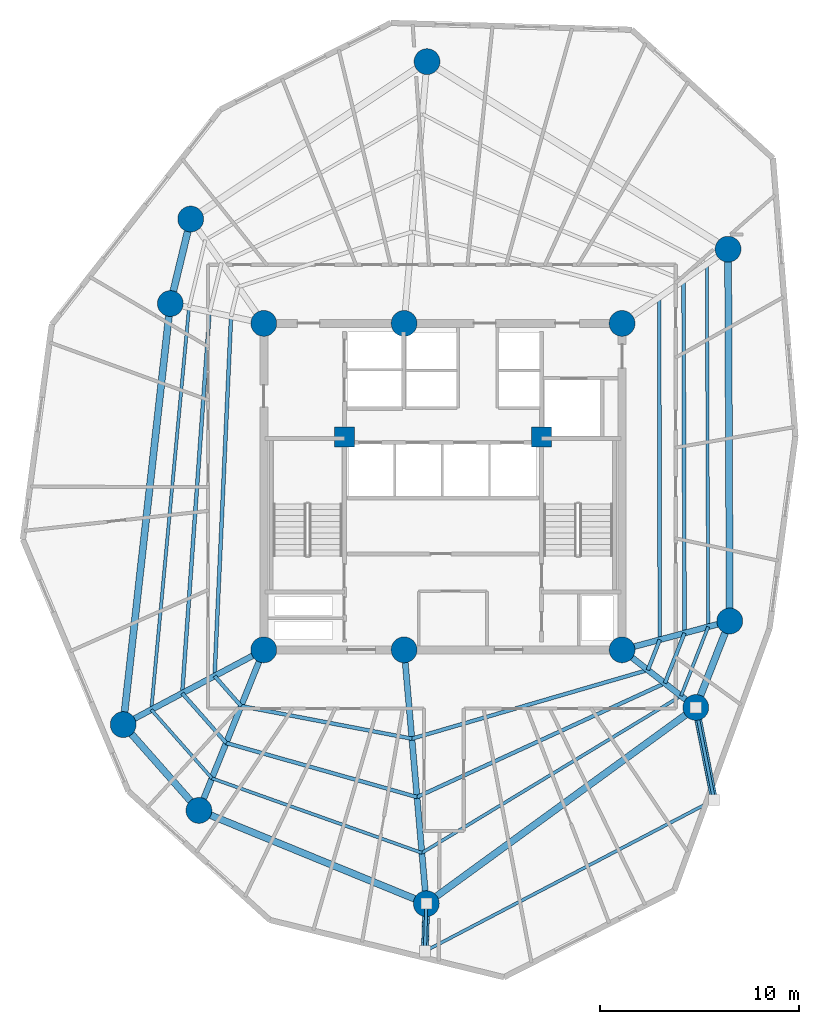
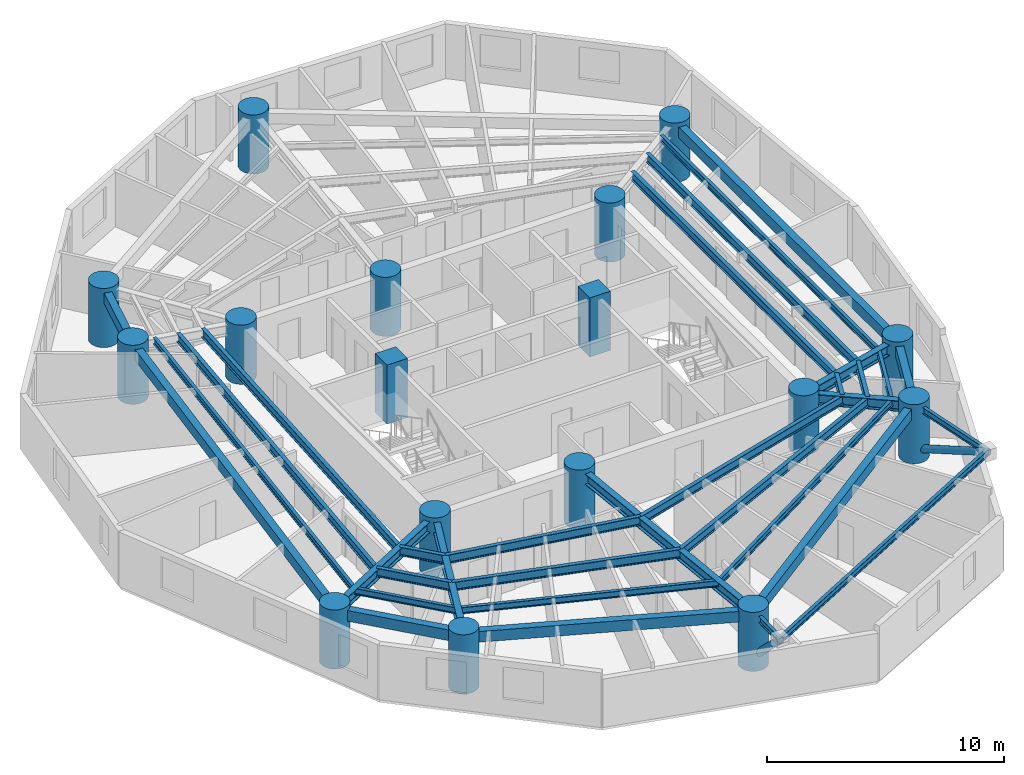
# One storey, part 1 of 8: 33 beams, 17 columns, 2 members.
"""IFC4 building model written with IfcOpenShell, lengths in metres."""

from ifc_helpers import new_model, si_unit, direction, frame, origin, origin_with_axes, origin_2d, place, context, subcontext, project, spatial, rectangle, circle, hollow_circle, i_section, extrude, source, transform, mapped, material, material_profile, profile_set, type_object, element, save


model = new_model("IFC4")

# Units and contexts
model_context = context("Model", 3, precision=1e-05, world=origin(), true_north=direction((0.0, 1.0)))
body_context = subcontext(model_context, "Body", "Model", "MODEL_VIEW")
ifc_project = project(units=[si_unit("LENGTHUNIT", "METRE"), si_unit("AREAUNIT", "SQUARE_METRE"), si_unit("VOLUMEUNIT", "CUBIC_METRE"), si_unit("PLANEANGLEUNIT", "RADIAN"), si_unit("MASSUNIT", "GRAM", prefix="KILO")], contexts=[model_context])

# Site, building, storey
site_placement = place(None, origin())
site = spatial("IfcSite", under=ifc_project, at=site_placement, CompositionType="ELEMENT")
building_placement = place(site_placement, origin())
building = spatial("IfcBuilding", under=site, at=building_placement, Name="Karkom Vertical University and Central Library", CompositionType="ELEMENT")
storey_placement = place(building_placement, frame((0.0, 0.0, 168.75)))
storey = spatial("IfcBuildingStorey", under=building, at=storey_placement, Name="L48", CompositionType="ELEMENT", Elevation=168.75)

# Columns
ifc_material_1 = material(Name="Concrete C50/60", Category="concrete")
ifc_material_profile_1 = material_profile(ifc_material_1, circle(Radius=0.64990234375, at=origin_2d()), Name="CFT-D1300")
ifc_profile_set_1 = profile_set([ifc_material_profile_1], Name="Concrete C50/60")
column_type_1 = type_object("IfcColumnType", Name="STR-COL-C-SC4", PredefinedType="COLUMN", material=ifc_profile_set_1)
shared_shape_1 = source(origin_with_axes(), body_context, "Body", "SweptSolid", [
    extrude(circle(Radius=0.64990234375, at=origin_2d()), origin(), (0.0, 0.0, 1.0), 3.050048828125),
])
for number, where, z_axis, x_axis, name in (
    (1, (19.5, 18.300048828125, 0.0), (0.0, 0.0, 1.0), (1.0, 0.0, 0.0), "Level 48 Spine Mega-Column SC-1"),
    (2, (26.550048828125, 18.300048828125, 0.0), (0.0, 0.0, 1.0), (1.0, 0.0, 0.0), "Level 48 Spine Mega-Column SC-2"),
    (3, (37.5, 18.300048828125, 0.0), (0.0, 0.0, 1.0), (1.0, 0.0, 0.0), "Level 48 Spine Mega-Column SC-3"),
    (4, (19.5, 34.699951171875, 0.0), (0.0, 0.0, 1.0), (1.0, 0.0, 0.0), "Level 48 Spine Mega-Column SC-4"),
    (5, (26.550048828125, 34.699951171875, 0.0), (0.0, 0.0, 1.0), (1.0, 0.0, 0.0), "Level 48 Spine Mega-Column SC-5"),
    (6, (37.5, 34.699951171875, 0.0), (0.0, 0.0, 1.0), (1.0, 0.0, 0.0), "Level 48 Spine Mega-Column SC-6"),
    (7, (42.908935546875, 19.7490234375, 0.0), (0.0, 0.0, 1.0), (1.0, 0.0, 0.0), "Level 48 Perimeter Mega-Column Z3-PC1"),
    (8, (42.823974609375, 38.427978515625, 0.0), (0.0, 0.0, 1.0), (1.0, 0.0, 0.0), "Level 48 Perimeter Mega-Column Z3-PC2"),
    (9, (27.699951171875, 47.85009765625, 0.0), (0.0, 0.0, 1.0), (1.0, 0.0, 0.0), "Level 48 Perimeter Mega-Column Z3-PC3"),
    (10, (15.8291015625, 39.943115234375, 0.0), (0.0, 0.0, 1.0), (1.0, 0.0, 0.0), "Level 48 Perimeter Mega-Column Z3-PC4"),
    (11, (14.804931640625, 35.697998046875, 0.0), (0.0, 0.0, 1.0), (1.0, 0.0, 0.0), "Level 48 Perimeter Mega-Column Z3-PC5"),
    (12, (12.43603515625, 14.5439453125, 0.0), (0.0, 0.0, 1.0), (1.0, 0.0, 0.0), "Level 48 Perimeter Mega-Column Z3-PC6"),
    (13, (16.240966796875, 10.23388671875, 0.0), (0.0, 0.0, 1.0), (1.0, 0.0, 0.0), "Level 48 Perimeter Mega-Column Z3-PC7"),
    (14, (27.666015625, 5.549072265625, 0.0), (0.0, 0.0, 1.0), (1.0, 0.0, 0.0), "Level 48 Perimeter Mega-Column Z3-PC8"),
    (15, (41.2041015625, 15.406005859375, 0.0), (0.0, 0.0, 1.0), (1.0, 0.0, 0.0), "Level 48 Perimeter Mega-Column Z3-PC9"),
):
    element("IfcColumn", number, at=place(storey_placement, frame(where, z_axis=z_axis, x_axis=x_axis)), inside=storey, type_object=column_type_1, Name=name, PredefinedType="COLUMN", context=body_context, shape_type="MappedRepresentation", body=[
        mapped(shared_shape_1, transform((0.0, 0.0, 0.0), scale=1.0)),
    ])
ifc_material_profile_2 = material_profile(ifc_material_1, rectangle(XDim=1.0, YDim=1.0, at=origin_2d()), Name="RC-1000x1000")
ifc_profile_set_2 = profile_set([ifc_material_profile_2], Name="Concrete C50/60")
column_type_2 = type_object("IfcColumnType", Name="STR-COL-C-CC2", PredefinedType="COLUMN", material=ifc_profile_set_2)
shared_shape_2 = source(origin_with_axes(), body_context, "Body", "SweptSolid", [
    extrude(rectangle(XDim=1.0, YDim=1.0, at=origin_2d()), origin(), (0.0, 0.0, 1.0), 3.050048828125),
])
for number, where, z_axis, x_axis, name in (
    (16, (23.550048828125, 29.0, 0.0), (0.0, 0.0, 1.0), (1.0, 0.0, 0.0), "Level 48 Core Node Column CC-1"),
    (17, (33.449951171875, 29.0, 0.0), (0.0, 0.0, 1.0), (1.0, 0.0, 0.0), "Level 48 Core Node Column CC-2"),
):
    element("IfcColumn", number, at=place(storey_placement, frame(where, z_axis=z_axis, x_axis=x_axis)), inside=storey, type_object=column_type_2, Name=name, PredefinedType="COLUMN", context=body_context, shape_type="MappedRepresentation", body=[
        mapped(shared_shape_2, transform((0.0, 0.0, 0.0), scale=1.0)),
    ])

# Beams
ifc_material_2 = material(Name="Precast concrete C45/55", Category="concrete")
ifc_material_profile_3 = material_profile(ifc_material_2, rectangle(XDim=0.35009765625, YDim=0.550048828125, at=origin_2d()), Name="SPB-350x550")
ifc_profile_set_3 = profile_set([ifc_material_profile_3], Name="Precast concrete C45/55")
beam_type_1 = type_object("IfcBeamType", Name="STR-BM-SP-2", PredefinedType="SPANDREL", material=ifc_profile_set_3)
shared_shape_3 = source(origin_with_axes(), body_context, "Body", "SweptSolid", [
    extrude(rectangle(XDim=0.35009765625, YDim=0.550048828125, at=origin_2d()), origin(), (0.0, 0.0, 1.0), 18.67919921875),
])
beam_1_placement = place(storey_placement, frame((42.908935546875, 19.7490234375, 2.550048828125), z_axis=(-0.004548437442, 0.999989655805, 0.0), x_axis=(-0.999989655805, -0.004548437442, 0.0)))
element("IfcBeam", 18, at=beam_1_placement, inside=storey, type_object=beam_type_1, Name="Level 48 Perimeter Spandrel Beam 01", PredefinedType="SPANDREL", context=body_context, shape_type="MappedRepresentation", body=[
    mapped(shared_shape_3, transform((0.0, 0.0, 0.0), scale=1.0)),
])
shared_shape_4 = source(origin_with_axes(), body_context, "Body", "SweptSolid", [
    extrude(rectangle(XDim=0.35009765625, YDim=0.550048828125, at=origin_2d()), origin(), (0.0, 0.0, 1.0), 4.366943359375),
])
beam_2_placement = place(storey_placement, frame((15.8291015625, 39.943115234375, 2.550048828125), z_axis=(-0.234529408772, -0.972109024966, 0.0), x_axis=(0.972109024966, -0.234529408772, 0.0)))
element("IfcBeam", 19, at=beam_2_placement, inside=storey, type_object=beam_type_1, Name="Level 48 Perimeter Spandrel Beam 04", PredefinedType="SPANDREL", context=body_context, shape_type="MappedRepresentation", body=[
    mapped(shared_shape_4, transform((0.0, 0.0, 0.0), scale=1.0)),
])
shared_shape_5 = source(origin_with_axes(), body_context, "Body", "SweptSolid", [
    extrude(rectangle(XDim=0.35009765625, YDim=0.550048828125, at=origin_2d()), origin(), (0.0, 0.0, 1.0), 21.286376953125),
])
beam_3_placement = place(storey_placement, frame((14.804931640625, 35.697998046875, 2.550048828125), z_axis=(-0.111287493264, -0.993788254028, 0.0), x_axis=(0.993788254028, -0.111287493264, 0.0)))
element("IfcBeam", 20, at=beam_3_placement, inside=storey, type_object=beam_type_1, Name="Level 48 Perimeter Spandrel Beam 05", PredefinedType="SPANDREL", context=body_context, shape_type="MappedRepresentation", body=[
    mapped(shared_shape_5, transform((0.0, 0.0, 0.0), scale=1.0)),
])
shared_shape_6 = source(origin_with_axes(), body_context, "Body", "SweptSolid", [
    extrude(rectangle(XDim=0.35009765625, YDim=0.550048828125, at=origin_2d()), origin(), (0.0, 0.0, 1.0), 5.749267578125),
])
beam_4_placement = place(storey_placement, frame((12.43603515625, 14.5439453125, 2.550048828125), z_axis=(0.661811219671, -0.74967053398, 0.0), x_axis=(0.74967053398, 0.661811219671, 0.0)))
element("IfcBeam", 21, at=beam_4_placement, inside=storey, type_object=beam_type_1, Name="Level 48 Perimeter Spandrel Beam 06", PredefinedType="SPANDREL", context=body_context, shape_type="MappedRepresentation", body=[
    mapped(shared_shape_6, transform((0.0, 0.0, 0.0), scale=1.0)),
])
shared_shape_7 = source(origin_with_axes(), body_context, "Body", "SweptSolid", [
    extrude(rectangle(XDim=0.35009765625, YDim=0.550048828125, at=origin_2d()), origin(), (0.0, 0.0, 1.0), 12.34814453125),
])
beam_5_placement = place(storey_placement, frame((16.240966796875, 10.23388671875, 2.550048828125), z_axis=(0.925236428984, -0.37939102583, 0.0), x_axis=(0.37939102583, 0.925236428984, 0.0)))
element("IfcBeam", 22, at=beam_5_placement, inside=storey, type_object=beam_type_1, Name="Level 48 Perimeter Spandrel Beam 07", PredefinedType="SPANDREL", context=body_context, shape_type="MappedRepresentation", body=[
    mapped(shared_shape_7, transform((0.0, 0.0, 0.0), scale=1.0)),
])
shared_shape_8 = source(origin_with_axes(), body_context, "Body", "SweptSolid", [
    extrude(rectangle(XDim=0.35009765625, YDim=0.550048828125, at=origin_2d()), origin(), (0.0, 0.0, 1.0), 16.746337890625),
])
beam_6_placement = place(storey_placement, frame((27.666015625, 5.549072265625, 2.550048828125), z_axis=(0.808422013284, 0.588603303115, 0.0), x_axis=(-0.588603303115, 0.808422013284, 0.0)))
element("IfcBeam", 23, at=beam_6_placement, inside=storey, type_object=beam_type_1, Name="Level 48 Perimeter Spandrel Beam 08", PredefinedType="SPANDREL", context=body_context, shape_type="MappedRepresentation", body=[
    mapped(shared_shape_8, transform((0.0, 0.0, 0.0), scale=1.0)),
])
shared_shape_9 = source(origin_with_axes(), body_context, "Body", "SweptSolid", [
    extrude(rectangle(XDim=0.35009765625, YDim=0.550048828125, at=origin_2d()), origin(), (0.0, 0.0, 1.0), 4.66552734375),
])
beam_7_placement = place(storey_placement, frame((41.2041015625, 15.406005859375, 2.550048828125), z_axis=(0.365401419454, 0.930850043058, 0.0), x_axis=(-0.930850043058, 0.365401419454, 0.0)))
element("IfcBeam", 24, at=beam_7_placement, inside=storey, type_object=beam_type_1, Name="Level 48 Perimeter Spandrel Beam 09", PredefinedType="SPANDREL", context=body_context, shape_type="MappedRepresentation", body=[
    mapped(shared_shape_9, transform((0.0, 0.0, 0.0), scale=1.0)),
])
ifc_material_3 = material(Name="Steel S355", Category="steel")
ifc_material_profile_4 = material_profile(ifc_material_3, i_section(OverallWidth=0.18994140625, OverallDepth=0.449951171875, WebThickness=0.009521484375, FlangeThickness=0.0146484375, FilletRadius=0.02099609375, at=origin_2d()), Name="IPE 450")
ifc_profile_set_4 = profile_set([ifc_material_profile_4], Name="Steel S355")
beam_type_2 = type_object("IfcBeamType", Name="STR-BM-SB-IPE450", PredefinedType="BEAM", material=ifc_profile_set_4)
shared_shape_10 = source(origin_with_axes(), body_context, "Body", "SweptSolid", [
    extrude(i_section(OverallWidth=0.18994140625, OverallDepth=0.449951171875, WebThickness=0.009521484375, FlangeThickness=0.0146484375, FilletRadius=0.02099609375, at=origin_2d()), origin(), (0.0, 0.0, 1.0), 17.19775390625),
])
beam_8_placement = place(storey_placement, frame((39.39306640625, 18.80712890625, 2.60009765625), z_axis=(-0.001731918699, 0.999998500228, 0.0), x_axis=(-0.999998500228, -0.001731918699, 0.0)))
element("IfcBeam", 25, at=beam_8_placement, inside=storey, type_object=beam_type_2, Name="Level 48 Secondary Composite Floor Beam 1.01", PredefinedType="BEAM", context=body_context, shape_type="MappedRepresentation", body=[
    mapped(shared_shape_10, transform((0.0, 0.0, 0.0), scale=1.0)),
])
shared_shape_11 = source(origin_with_axes(), body_context, "Body", "SweptSolid", [
    extrude(i_section(OverallWidth=0.18994140625, OverallDepth=0.449951171875, WebThickness=0.009521484375, FlangeThickness=0.0146484375, FilletRadius=0.02099609375, at=origin_2d()), origin(), (0.0, 0.0, 1.0), 18.0830078125),
])
beam_9_placement = place(storey_placement, frame((17.856689453125, 35.04931640625, 2.60009765625), z_axis=(-0.04584982532, -0.998948343769, 0.0), x_axis=(0.998948343769, -0.04584982532, 0.0)))
element("IfcBeam", 26, at=beam_9_placement, inside=storey, type_object=beam_type_2, Name="Level 48 Secondary Composite Floor Beam 1.05", PredefinedType="BEAM", context=body_context, shape_type="MappedRepresentation", body=[
    mapped(shared_shape_11, transform((0.0, 0.0, 0.0), scale=1.0)),
])
shared_shape_12 = source(origin_with_axes(), body_context, "Body", "SweptSolid", [
    extrude(i_section(OverallWidth=0.18994140625, OverallDepth=0.449951171875, WebThickness=0.009521484375, FlangeThickness=0.0146484375, FilletRadius=0.02099609375, at=origin_2d()), origin(), (0.0, 0.0, 1.0), 2.01220703125),
])
beam_10_placement = place(storey_placement, frame((17.027587890625, 16.9853515625, 2.60009765625), z_axis=(0.661822246424, -0.749660799387, 0.0), x_axis=(0.749660799387, 0.661822246424, 0.0)))
element("IfcBeam", 27, at=beam_10_placement, inside=storey, type_object=beam_type_2, Name="Level 48 Secondary Composite Floor Beam 1.06", PredefinedType="BEAM", context=body_context, shape_type="MappedRepresentation", body=[
    mapped(shared_shape_12, transform((0.0, 0.0, 0.0), scale=1.0)),
])
shared_shape_13 = source(origin_with_axes(), body_context, "Body", "SweptSolid", [
    extrude(i_section(OverallWidth=0.18994140625, OverallDepth=0.449951171875, WebThickness=0.009521484375, FlangeThickness=0.0146484375, FilletRadius=0.02099609375, at=origin_2d()), origin(), (0.0, 0.0, 1.0), 8.736572265625),
])
beam_11_placement = place(storey_placement, frame((18.359375, 15.476806640625, 2.60009765625), z_axis=(0.982230782932, -0.187677087205, 0.0), x_axis=(0.187677087205, 0.982230782932, 0.0)))
element("IfcBeam", 28, at=beam_11_placement, inside=storey, type_object=beam_type_2, Name="Level 48 Secondary Composite Floor Beam 1.07", PredefinedType="BEAM", context=body_context, shape_type="MappedRepresentation", body=[
    mapped(shared_shape_13, transform((0.0, 0.0, 0.0), scale=1.0)),
])
shared_shape_14 = source(origin_with_axes(), body_context, "Body", "SweptSolid", [
    extrude(i_section(OverallWidth=0.18994140625, OverallDepth=0.449951171875, WebThickness=0.009521484375, FlangeThickness=0.0146484375, FilletRadius=0.02099609375, at=origin_2d()), origin(), (0.0, 0.0, 1.0), 12.347412109375),
])
beam_12_placement = place(storey_placement, frame((26.940673828125, 13.837158203125, 2.60009765625), z_axis=(0.960173212987, 0.279405442077, 0.0), x_axis=(-0.279405442077, 0.960173212987, 0.0)))
element("IfcBeam", 29, at=beam_12_placement, inside=storey, type_object=beam_type_2, Name="Level 48 Secondary Composite Floor Beam 1.08", PredefinedType="BEAM", context=body_context, shape_type="MappedRepresentation", body=[
    mapped(shared_shape_14, transform((0.0, 0.0, 0.0), scale=1.0)),
])
shared_shape_15 = source(origin_with_axes(), body_context, "Body", "SweptSolid", [
    extrude(i_section(OverallWidth=0.18994140625, OverallDepth=0.449951171875, WebThickness=0.009521484375, FlangeThickness=0.0146484375, FilletRadius=0.02099609375, at=origin_2d()), origin(), (0.0, 0.0, 1.0), 1.633056640625),
])
beam_13_placement = place(storey_placement, frame((38.79638671875, 17.287109375, 2.60009765625), z_axis=(0.365402570083, 0.930849591382, 0.0), x_axis=(-0.930849591382, 0.365402570083, 0.0)))
element("IfcBeam", 30, at=beam_13_placement, inside=storey, type_object=beam_type_2, Name="Level 48 Secondary Composite Floor Beam 1.09", PredefinedType="BEAM", context=body_context, shape_type="MappedRepresentation", body=[
    mapped(shared_shape_15, transform((0.0, 0.0, 0.0), scale=1.0)),
])
shared_shape_16 = source(origin_with_axes(), body_context, "Body", "SweptSolid", [
    extrude(i_section(OverallWidth=0.18994140625, OverallDepth=0.449951171875, WebThickness=0.009521484375, FlangeThickness=0.0146484375, FilletRadius=0.02099609375, at=origin_2d()), origin(), (0.0, 0.0, 1.0), 17.721923828125),
])
beam_14_placement = place(storey_placement, frame((40.63720703125, 19.140380859375, 2.60009765625), z_axis=(-0.002782780006, 0.99999612806, 0.0), x_axis=(-0.99999612806, -0.002782780006, 0.0)))
element("IfcBeam", 31, at=beam_14_placement, inside=storey, type_object=beam_type_2, Name="Level 48 Secondary Composite Floor Beam 2.01", PredefinedType="BEAM", context=body_context, shape_type="MappedRepresentation", body=[
    mapped(shared_shape_16, transform((0.0, 0.0, 0.0), scale=1.0)),
])
shared_shape_17 = source(origin_with_axes(), body_context, "Body", "SweptSolid", [
    extrude(i_section(OverallWidth=0.18994140625, OverallDepth=0.449951171875, WebThickness=0.009521484375, FlangeThickness=0.0146484375, FilletRadius=0.02099609375, at=origin_2d()), origin(), (0.0, 0.0, 1.0), 19.20654296875),
])
beam_15_placement = place(storey_placement, frame((16.77685546875, 35.27880859375, 2.60009765625), z_axis=(-0.071539731632, -0.997437750839, 0.0), x_axis=(0.997437750839, -0.071539731632, 0.0)))
element("IfcBeam", 32, at=beam_15_placement, inside=storey, type_object=beam_type_2, Name="Level 48 Secondary Composite Floor Beam 2.05", PredefinedType="BEAM", context=body_context, shape_type="MappedRepresentation", body=[
    mapped(shared_shape_17, transform((0.0, 0.0, 0.0), scale=1.0)),
])
shared_shape_18 = source(origin_with_axes(), body_context, "Body", "SweptSolid", [
    extrude(i_section(OverallWidth=0.18994140625, OverallDepth=0.449951171875, WebThickness=0.009521484375, FlangeThickness=0.0146484375, FilletRadius=0.02099609375, at=origin_2d()), origin(), (0.0, 0.0, 1.0), 3.334716796875),
])
beam_16_placement = place(storey_placement, frame((15.40283203125, 16.12158203125, 2.60009765625), z_axis=(0.661815321502, -0.749666912852, 0.0), x_axis=(0.749666912852, 0.661815321502, 0.0)))
element("IfcBeam", 33, at=beam_16_placement, inside=storey, type_object=beam_type_2, Name="Level 48 Secondary Composite Floor Beam 2.06", PredefinedType="BEAM", context=body_context, shape_type="MappedRepresentation", body=[
    mapped(shared_shape_18, transform((0.0, 0.0, 0.0), scale=1.0)),
])
shared_shape_19 = source(origin_with_axes(), body_context, "Body", "SweptSolid", [
    extrude(i_section(OverallWidth=0.18994140625, OverallDepth=0.449951171875, WebThickness=0.009521484375, FlangeThickness=0.0146484375, FilletRadius=0.02099609375, at=origin_2d()), origin(), (0.0, 0.0, 1.0), 9.965087890625),
])
beam_17_placement = place(storey_placement, frame((17.60986328125, 13.62158203125, 2.60009765625), z_axis=(0.962104232935, -0.272681948372, 0.0), x_axis=(0.272681948372, 0.962104232935, 0.0)))
element("IfcBeam", 34, at=beam_17_placement, inside=storey, type_object=beam_type_2, Name="Level 48 Secondary Composite Floor Beam 2.07", PredefinedType="BEAM", context=body_context, shape_type="MappedRepresentation", body=[
    mapped(shared_shape_19, transform((0.0, 0.0, 0.0), scale=1.0)),
])
shared_shape_20 = source(origin_with_axes(), body_context, "Body", "SweptSolid", [
    extrude(i_section(OverallWidth=0.18994140625, OverallDepth=0.449951171875, WebThickness=0.009521484375, FlangeThickness=0.0146484375, FilletRadius=0.02099609375, at=origin_2d()), origin(), (0.0, 0.0, 1.0), 13.700927734375),
])
beam_18_placement = place(storey_placement, frame((27.197265625, 10.904296875, 2.60009765625), z_axis=(0.908771280691, 0.417294571486, 0.0), x_axis=(-0.417294571486, 0.908771280691, 0.0)))
element("IfcBeam", 35, at=beam_18_placement, inside=storey, type_object=beam_type_2, Name="Level 48 Secondary Composite Floor Beam 2.08", PredefinedType="BEAM", context=body_context, shape_type="MappedRepresentation", body=[
    mapped(shared_shape_20, transform((0.0, 0.0, 0.0), scale=1.0)),
])
shared_shape_21 = source(origin_with_axes(), body_context, "Body", "SweptSolid", [
    extrude(i_section(OverallWidth=0.18994140625, OverallDepth=0.449951171875, WebThickness=0.009521484375, FlangeThickness=0.0146484375, FilletRadius=0.02099609375, at=origin_2d()), origin(), (0.0, 0.0, 1.0), 2.7060546875),
])
beam_19_placement = place(storey_placement, frame((39.648193359375, 16.62158203125, 2.60009765625), z_axis=(0.365487674906, 0.930816179217, 0.0), x_axis=(-0.930816179217, 0.365487674906, 0.0)))
element("IfcBeam", 36, at=beam_19_placement, inside=storey, type_object=beam_type_2, Name="Level 48 Secondary Composite Floor Beam 2.09", PredefinedType="BEAM", context=body_context, shape_type="MappedRepresentation", body=[
    mapped(shared_shape_21, transform((0.0, 0.0, 0.0), scale=1.0)),
])
ifc_material_profile_5 = material_profile(ifc_material_3, i_section(OverallWidth=0.159912109375, OverallDepth=0.330078125, WebThickness=0.007568359375, FlangeThickness=0.011474609375, FilletRadius=0.01806640625, at=origin_2d()), Name="IPE 330")
ifc_profile_set_5 = profile_set([ifc_material_profile_5], Name="Steel S355")
beam_type_3 = type_object("IfcBeamType", Name="STR-BM-SB-IPE330", PredefinedType="BEAM", material=ifc_profile_set_5)
shared_shape_22 = source(origin_with_axes(), body_context, "Body", "SweptSolid", [
    extrude(i_section(OverallWidth=0.159912109375, OverallDepth=0.330078125, WebThickness=0.007568359375, FlangeThickness=0.011474609375, FilletRadius=0.01806640625, at=origin_2d()), origin(), (0.0, 0.0, 1.0), 18.223388671875),
])
beam_20_placement = place(storey_placement, frame((41.8271484375, 19.459228515625, 2.659912109375), z_axis=(-0.003724418851, 0.999993064328, 0.0), x_axis=(-0.999993064328, -0.003724418851, 0.0)))
element("IfcBeam", 37, at=beam_20_placement, inside=storey, type_object=beam_type_3, Name="Level 48 Secondary Composite Floor Beam 3.01", PredefinedType="BEAM", context=body_context, shape_type="MappedRepresentation", body=[
    mapped(shared_shape_22, transform((0.0, 0.0, 0.0), scale=1.0)),
])
shared_shape_23 = source(origin_with_axes(), body_context, "Body", "SweptSolid", [
    extrude(i_section(OverallWidth=0.159912109375, OverallDepth=0.330078125, WebThickness=0.007568359375, FlangeThickness=0.011474609375, FilletRadius=0.01806640625, at=origin_2d()), origin(), (0.0, 0.0, 1.0), 20.291748046875),
])
beam_21_placement = place(storey_placement, frame((15.743896484375, 35.498291015625, 2.659912109375), z_axis=(-0.093388415244, -0.995629752417, 0.0), x_axis=(0.995629752417, -0.093388415244, 0.0)))
element("IfcBeam", 38, at=beam_21_placement, inside=storey, type_object=beam_type_3, Name="Level 48 Secondary Composite Floor Beam 3.05", PredefinedType="BEAM", context=body_context, shape_type="MappedRepresentation", body=[
    mapped(shared_shape_23, transform((0.0, 0.0, 0.0), scale=1.0)),
])
shared_shape_24 = source(origin_with_axes(), body_context, "Body", "SweptSolid", [
    extrude(i_section(OverallWidth=0.159912109375, OverallDepth=0.330078125, WebThickness=0.007568359375, FlangeThickness=0.011474609375, FilletRadius=0.01806640625, at=origin_2d()), origin(), (0.0, 0.0, 1.0), 4.599365234375),
])
beam_22_placement = place(storey_placement, frame((13.848876953125, 15.295166015625, 2.659912109375), z_axis=(0.661816486801, -0.74966588411, 0.0), x_axis=(0.74966588411, 0.661816486801, 0.0)))
element("IfcBeam", 39, at=beam_22_placement, inside=storey, type_object=beam_type_3, Name="Level 48 Secondary Composite Floor Beam 3.06", PredefinedType="BEAM", context=body_context, shape_type="MappedRepresentation", body=[
    mapped(shared_shape_24, transform((0.0, 0.0, 0.0), scale=1.0)),
])
shared_shape_25 = source(origin_with_axes(), body_context, "Body", "SweptSolid", [
    extrude(i_section(OverallWidth=0.159912109375, OverallDepth=0.330078125, WebThickness=0.007568359375, FlangeThickness=0.011474609375, FilletRadius=0.01806640625, at=origin_2d()), origin(), (0.0, 0.0, 1.0), 11.196044921875),
])
beam_23_placement = place(storey_placement, frame((16.892822265625, 11.84716796875, 2.659912109375), z_axis=(0.942301538336, -0.334765307119, 0.0), x_axis=(0.334765307119, 0.942301538336, 0.0)))
element("IfcBeam", 40, at=beam_23_placement, inside=storey, type_object=beam_type_3, Name="Level 48 Secondary Composite Floor Beam 3.07", PredefinedType="BEAM", context=body_context, shape_type="MappedRepresentation", body=[
    mapped(shared_shape_25, transform((0.0, 0.0, 0.0), scale=1.0)),
])
shared_shape_26 = source(origin_with_axes(), body_context, "Body", "SweptSolid", [
    extrude(i_section(OverallWidth=0.159912109375, OverallDepth=0.330078125, WebThickness=0.007568359375, FlangeThickness=0.011474609375, FilletRadius=0.01806640625, at=origin_2d()), origin(), (0.0, 0.0, 1.0), 15.22216796875),
])
beam_24_placement = place(storey_placement, frame((27.44287109375, 8.09912109375, 2.659912109375), z_axis=(0.855352900974, 0.518045765155, 0.0), x_axis=(-0.518045765155, 0.855352900974, 0.0)))
element("IfcBeam", 41, at=beam_24_placement, inside=storey, type_object=beam_type_3, Name="Level 48 Secondary Composite Floor Beam 3.08", PredefinedType="BEAM", context=body_context, shape_type="MappedRepresentation", body=[
    mapped(shared_shape_26, transform((0.0, 0.0, 0.0), scale=1.0)),
])
shared_shape_27 = source(origin_with_axes(), body_context, "Body", "SweptSolid", [
    extrude(i_section(OverallWidth=0.159912109375, OverallDepth=0.330078125, WebThickness=0.007568359375, FlangeThickness=0.011474609375, FilletRadius=0.01806640625, at=origin_2d()), origin(), (0.0, 0.0, 1.0), 3.732421875),
])
beam_25_placement = place(storey_placement, frame((40.463134765625, 15.98486328125, 2.659912109375), z_axis=(0.365439874109, 0.930834946922, 0.0), x_axis=(-0.930834946922, 0.365439874109, 0.0)))
element("IfcBeam", 42, at=beam_25_placement, inside=storey, type_object=beam_type_3, Name="Level 48 Secondary Composite Floor Beam 3.09", PredefinedType="BEAM", context=body_context, shape_type="MappedRepresentation", body=[
    mapped(shared_shape_27, transform((0.0, 0.0, 0.0), scale=1.0)),
])
ifc_material_profile_6 = material_profile(ifc_material_3, i_section(OverallWidth=0.300048828125, OverallDepth=0.550048828125, WebThickness=0.014892578125, FlangeThickness=0.029052734375, FilletRadius=0.027099609375, at=origin_2d()), Name="HE 550 B")
ifc_profile_set_6 = profile_set([ifc_material_profile_6], Name="Steel S355")
beam_type_4 = type_object("IfcBeamType", Name="STR-BM-SB-HE550", PredefinedType="USERDEFINED", material=ifc_profile_set_6)
shared_shape_28 = source(origin_with_axes(), body_context, "Body", "SweptSolid", [
    extrude(i_section(OverallWidth=0.300048828125, OverallDepth=0.550048828125, WebThickness=0.014892578125, FlangeThickness=0.029052734375, FilletRadius=0.027099609375, at=origin_2d()), origin(), (0.0, 0.0, 1.0), 5.599609375),
])
beam_26_placement = place(storey_placement, frame((37.5, 18.300048828125, 2.550048828125), z_axis=(0.965941240814, 0.258761510459, 0.0), x_axis=(-0.258761510459, 0.965941240814, 0.0)))
element("IfcBeam", 43, at=beam_26_placement, inside=storey, type_object=beam_type_4, Name="Level 48 Radial Frame Girder 01", ObjectType="GIRDER", PredefinedType="USERDEFINED", context=body_context, shape_type="MappedRepresentation", body=[
    mapped(shared_shape_28, transform((0.0, 0.0, 0.0), scale=1.0)),
])
shared_shape_29 = source(origin_with_axes(), body_context, "Body", "SweptSolid", [
    extrude(i_section(OverallWidth=0.300048828125, OverallDepth=0.550048828125, WebThickness=0.014892578125, FlangeThickness=0.029052734375, FilletRadius=0.027099609375, at=origin_2d()), origin(), (0.0, 0.0, 1.0), 8.00048828125),
])
beam_27_placement = place(storey_placement, frame((19.5, 18.300048828125, 2.550048828125), z_axis=(-0.882941023922, -0.46948391695, 0.0), x_axis=(0.46948391695, -0.882941023922, 0.0)))
element("IfcBeam", 44, at=beam_27_placement, inside=storey, type_object=beam_type_4, Name="Level 48 Radial Frame Girder 06", ObjectType="GIRDER", PredefinedType="USERDEFINED", context=body_context, shape_type="MappedRepresentation", body=[
    mapped(shared_shape_29, transform((0.0, 0.0, 0.0), scale=1.0)),
])
shared_shape_30 = source(origin_with_axes(), body_context, "Body", "SweptSolid", [
    extrude(i_section(OverallWidth=0.300048828125, OverallDepth=0.550048828125, WebThickness=0.014892578125, FlangeThickness=0.029052734375, FilletRadius=0.027099609375, at=origin_2d()), origin(), (0.0, 0.0, 1.0), 8.69970703125),
])
beam_28_placement = place(storey_placement, frame((19.5, 18.300048828125, 2.550048828125), z_axis=(-0.374615701214, -0.927180174725, 0.0), x_axis=(0.927180174725, -0.374615701214, 0.0)))
element("IfcBeam", 45, at=beam_28_placement, inside=storey, type_object=beam_type_4, Name="Level 48 Radial Frame Girder 07", ObjectType="GIRDER", PredefinedType="USERDEFINED", context=body_context, shape_type="MappedRepresentation", body=[
    mapped(shared_shape_30, transform((0.0, 0.0, 0.0), scale=1.0)),
])
shared_shape_31 = source(origin_with_axes(), body_context, "Body", "SweptSolid", [
    extrude(i_section(OverallWidth=0.300048828125, OverallDepth=0.550048828125, WebThickness=0.014892578125, FlangeThickness=0.029052734375, FilletRadius=0.027099609375, at=origin_2d()), origin(), (0.0, 0.0, 1.0), 12.7998046875),
])
beam_29_placement = place(storey_placement, frame((26.550048828125, 18.300048828125, 2.550048828125), z_axis=(0.087186825694, -0.996191978198, 0.0), x_axis=(0.996191978198, 0.087186825694, 0.0)))
element("IfcBeam", 46, at=beam_29_placement, inside=storey, type_object=beam_type_4, Name="Level 48 Radial Frame Girder 08", ObjectType="GIRDER", PredefinedType="USERDEFINED", context=body_context, shape_type="MappedRepresentation", body=[
    mapped(shared_shape_31, transform((0.0, 0.0, 0.0), scale=1.0)),
])
shared_shape_32 = source(origin_with_axes(), body_context, "Body", "SweptSolid", [
    extrude(i_section(OverallWidth=0.300048828125, OverallDepth=0.550048828125, WebThickness=0.014892578125, FlangeThickness=0.029052734375, FilletRadius=0.027099609375, at=origin_2d()), origin(), (0.0, 0.0, 1.0), 4.70068359375),
])
beam_30_placement = place(storey_placement, frame((37.5, 18.300048828125, 2.550048828125), z_axis=(0.788002325582, -0.615672262553, 0.0), x_axis=(0.615672262553, 0.788002325582, 0.0)))
element("IfcBeam", 47, at=beam_30_placement, inside=storey, type_object=beam_type_4, Name="Level 48 Radial Frame Girder 09", ObjectType="GIRDER", PredefinedType="USERDEFINED", context=body_context, shape_type="MappedRepresentation", body=[
    mapped(shared_shape_32, transform((0.0, 0.0, 0.0), scale=1.0)),
])
shared_shape_33 = source(origin_with_axes(), body_context, "Body", "SweptSolid", [
    extrude(i_section(OverallWidth=0.159912109375, OverallDepth=0.330078125, WebThickness=0.007568359375, FlangeThickness=0.011474609375, FilletRadius=0.01806640625, at=origin_2d()), origin(), (0.0, 0.0, 1.0), 2.393798828125),
])
beam_31_placement = place(storey_placement, frame((27.666015625, 5.549072265625, 2.659912109375), z_axis=(-0.030394114456, -0.999537992178, 0.0), x_axis=(0.999537992178, -0.030394114456, 0.0)))
element("IfcBeam", 48, at=beam_31_placement, inside=storey, type_object=beam_type_3, Name="Level 48 Sky Garden Outrigger Support Beam 1", PredefinedType="BEAM", context=body_context, shape_type="MappedRepresentation", body=[
    mapped(shared_shape_33, transform((0.0, 0.0, 0.0), scale=1.0)),
])

# Member
ifc_material_profile_7 = material_profile(ifc_material_3, hollow_circle(Radius=0.177734375, WallThickness=0.01611328125, at=origin_2d()), Name="CHS 355.6x16")
ifc_profile_set_7 = profile_set([ifc_material_profile_7], Name="Steel S355")
member_type = type_object("IfcMemberType", Name="STR-MEM-BR-3", PredefinedType="BRACE", material=ifc_profile_set_7)
shared_shape_34 = source(origin_with_axes(), body_context, "Body", "SweptSolid", [
    extrude(hollow_circle(Radius=0.177734375, WallThickness=0.01611328125, at=origin_2d()), origin(), (0.0, 0.0, 1.0), 3.326416015625),
])
member_1_placement = place(storey_placement, frame((27.666015625, 5.549072265625, 0.35009765625), z_axis=(-0.021871636214, -0.719268573489, 0.694387752427), x_axis=(0.999537992178, -0.030394114456, 0.0)))
element("IfcMember", 49, at=member_1_placement, inside=storey, type_object=member_type, Name="Level 48 Sky Garden Knee Strut Brace 1", PredefinedType="BRACE", context=body_context, shape_type="MappedRepresentation", body=[
    mapped(shared_shape_34, transform((0.0, 0.0, 0.0), scale=1.0)),
])

# Beam
shared_shape_35 = source(origin_with_axes(), body_context, "Body", "SweptSolid", [
    extrude(i_section(OverallWidth=0.159912109375, OverallDepth=0.330078125, WebThickness=0.007568359375, FlangeThickness=0.011474609375, FilletRadius=0.01806640625, at=origin_2d()), origin(), (0.0, 0.0, 1.0), 4.73095703125),
])
beam_32_placement = place(storey_placement, frame((41.2041015625, 15.406005859375, 2.659912109375), z_axis=(0.194031677684, -0.980995264033, 0.0), x_axis=(0.980995264033, 0.194031677684, 0.0)))
element("IfcBeam", 50, at=beam_32_placement, inside=storey, type_object=beam_type_3, Name="Level 48 Sky Garden Outrigger Support Beam 2", PredefinedType="BEAM", context=body_context, shape_type="MappedRepresentation", body=[
    mapped(shared_shape_35, transform((0.0, 0.0, 0.0), scale=1.0)),
])

# Member
shared_shape_36 = source(origin_with_axes(), body_context, "Body", "SweptSolid", [
    extrude(hollow_circle(Radius=0.177734375, WallThickness=0.01611328125, at=origin_2d()), origin(), (0.0, 0.0, 1.0), 5.264892578125),
])
member_2_placement = place(storey_placement, frame((41.2041015625, 15.406005859375, 0.35009765625), z_axis=(0.174360533888, -0.881540890745, 0.438730056146), x_axis=(0.980995264033, 0.194031677684, 0.0)))
element("IfcMember", 51, at=member_2_placement, inside=storey, type_object=member_type, Name="Level 48 Sky Garden Knee Strut Brace 2", PredefinedType="BRACE", context=body_context, shape_type="MappedRepresentation", body=[
    mapped(shared_shape_36, transform((0.0, 0.0, 0.0), scale=1.0)),
])

# Beam
shared_shape_37 = source(origin_with_axes(), body_context, "Body", "SweptSolid", [
    extrude(i_section(OverallWidth=0.159912109375, OverallDepth=0.330078125, WebThickness=0.007568359375, FlangeThickness=0.011474609375, FilletRadius=0.01806640625, at=origin_2d()), origin(), (0.0, 0.0, 1.0), 16.400390625),
])
beam_33_placement = place(storey_placement, frame((27.59326171875, 3.156494140625, 2.659912109375), z_axis=(0.88587989749, 0.463914655106, 0.0), x_axis=(-0.463914655106, 0.88587989749, 0.0)))
element("IfcBeam", 52, at=beam_33_placement, inside=storey, type_object=beam_type_3, Name="Level 48 Sky Garden Perimeter Edge Beam", PredefinedType="BEAM", context=body_context, shape_type="MappedRepresentation", body=[
    mapped(shared_shape_37, transform((0.0, 0.0, 0.0), scale=1.0)),
])

save(model, "model.ifc")
